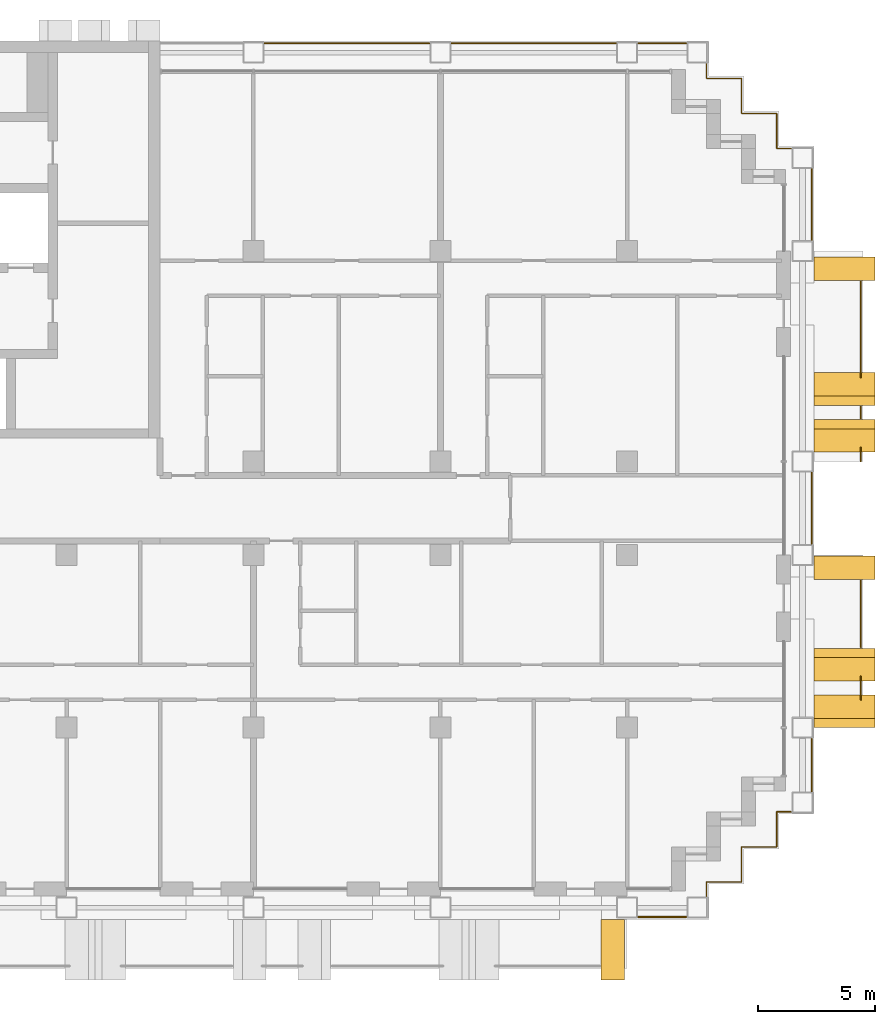
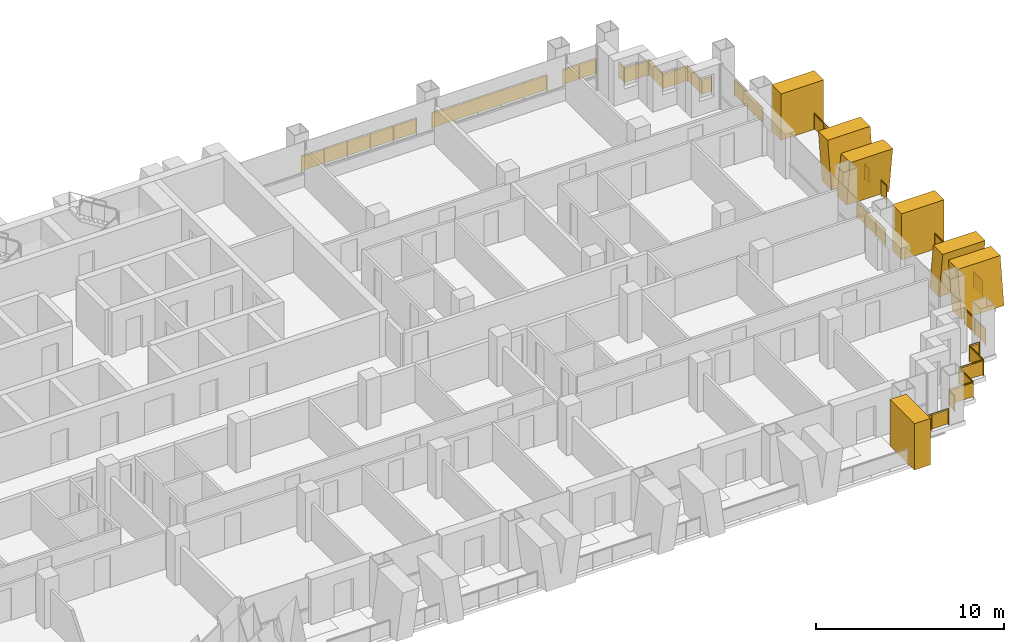
# One storey, part 17 of 17: 14 railings, 7 shading devices.
"""IFC4 building model written with IfcOpenShell, lengths in metres."""

from ifc_helpers import new_model, si_unit, direction, frame, origin, origin_2d, place, context, subcontext, project, spatial, polyline, rectangle, circle, outline, extrude, material, layer, layer_set, type_object, element, save


model = new_model("IFC4")

# Units and contexts
model_context = context("Model", 3, precision=1e-05, world=origin(), true_north=direction((0.0, 1.0)))
body_context = subcontext(model_context, "Body", "Model", "MODEL_VIEW")
ifc_project = project(units=[si_unit("LENGTHUNIT", "METRE"), si_unit("AREAUNIT", "SQUARE_METRE"), si_unit("VOLUMEUNIT", "CUBIC_METRE"), si_unit("PLANEANGLEUNIT", "RADIAN"), si_unit("MASSUNIT", "GRAM", prefix="KILO")], contexts=[model_context])

# Site, building, storey
site_placement = place(None, origin())
site = spatial("IfcSite", under=ifc_project, at=site_placement, CompositionType="ELEMENT")
building_placement = place(site_placement, origin())
building = spatial("IfcBuilding", under=site, at=building_placement, Name="Vidyagriha Tower", CompositionType="ELEMENT")
storey_placement = place(building_placement, frame((0.0, 0.0, 96.699951171875)))
storey = spatial("IfcBuildingStorey", under=building, at=storey_placement, Name="L25", CompositionType="ELEMENT", Elevation=96.699951171875)

# Railings
ifc_material_1 = material(Name="Steel ASTM A500 Grade C black painted", Category="steel")
railing_type_1 = type_object("IfcRailingType", Name="Balcony guard 1100", PredefinedType="BALUSTRADE", material=ifc_material_1)
railing_1_placement = place(storey_placement, frame((44.0, -8.19677734375, 0.0)))
element("IfcRailing", 1, at=railing_1_placement, inside=storey, type_object=railing_type_1, Name="Balcony guard L25 R30.1-1", PredefinedType="BALUSTRADE", context=body_context, shape_type="SweptSolid", body=[
    extrude(circle(Radius=0.02490234375, at=origin_2d()), frame((0.0, 0.0, 1.0751953125), z_axis=(0.0, 1.0, 0.0), x_axis=(-1.0, 0.0, 0.0)), (0.0, 0.0, 1.0), 0.993408203125),
    extrude(circle(Radius=0.02001953125, at=origin_2d()), origin(), (0.0, 0.0, 1.0), 1.050048828125),
    extrude(circle(Radius=0.02001953125, at=origin_2d()), frame((0.0, 0.993408203125, 0.0)), (0.0, 0.0, 1.0), 1.050048828125),
    extrude(rectangle(XDim=0.010009765625, YDim=0.900146484375, at=origin_2d()), frame((0.0, 0.0, 0.550048828125), z_axis=(0.0, 1.0, 0.0), x_axis=(-1.0, 0.0, 0.0)), (0.0, 0.0, 1.0), 0.993408203125),
])
railing_2_placement = place(storey_placement, frame((44.0, -5.949951171875, 0.0)))
element("IfcRailing", 2, at=railing_2_placement, inside=storey, type_object=railing_type_1, Name="Balcony guard L25 R30.1-2", PredefinedType="BALUSTRADE", context=body_context, shape_type="SweptSolid", body=[
    extrude(circle(Radius=0.02490234375, at=origin_2d()), frame((0.0, 0.0, 1.0751953125), z_axis=(0.0, 1.0, 0.0), x_axis=(-1.0, 0.0, 0.0)), (0.0, 0.0, 1.0), 2.849853515625),
    extrude(circle(Radius=0.02001953125, at=origin_2d()), origin(), (0.0, 0.0, 1.0), 1.050048828125),
    extrude(circle(Radius=0.02001953125, at=origin_2d()), frame((0.0, 0.949951171875, 0.0)), (0.0, 0.0, 1.0), 1.050048828125),
    extrude(circle(Radius=0.02001953125, at=origin_2d()), frame((0.0, 1.89990234375, 0.0)), (0.0, 0.0, 1.0), 1.050048828125),
    extrude(circle(Radius=0.02001953125, at=origin_2d()), frame((0.0, 2.849853515625, 0.0)), (0.0, 0.0, 1.0), 1.050048828125),
    extrude(rectangle(XDim=0.010009765625, YDim=0.900146484375, at=origin_2d()), frame((0.0, 0.0, 0.550048828125), z_axis=(0.0, 1.0, 0.0), x_axis=(-1.0, 0.0, 0.0)), (0.0, 0.0, 1.0), 2.849853515625),
])
railing_3_placement = place(storey_placement, frame((44.0, 2.0, 0.0)))
element("IfcRailing", 3, at=railing_3_placement, inside=storey, type_object=railing_type_1, Name="Balcony guard L25 R30.2-1", PredefinedType="BALUSTRADE", context=body_context, shape_type="SweptSolid", body=[
    extrude(circle(Radius=0.02490234375, at=origin_2d()), frame((0.0, 0.0, 1.0751953125), z_axis=(0.0, 1.0, 0.0), x_axis=(-1.0, 0.0, 0.0)), (0.0, 0.0, 1.0), 0.5966796875),
    extrude(circle(Radius=0.02001953125, at=origin_2d()), origin(), (0.0, 0.0, 1.0), 1.050048828125),
    extrude(circle(Radius=0.02001953125, at=origin_2d()), frame((0.0, 0.5966796875, 0.0)), (0.0, 0.0, 1.0), 1.050048828125),
    extrude(rectangle(XDim=0.010009765625, YDim=0.900146484375, at=origin_2d()), frame((0.0, 0.0, 0.550048828125), z_axis=(0.0, 1.0, 0.0), x_axis=(-1.0, 0.0, 0.0)), (0.0, 0.0, 1.0), 0.5966796875),
])
railing_4_placement = place(storey_placement, frame((44.0, 3.85009765625, 0.0)))
element("IfcRailing", 4, at=railing_4_placement, inside=storey, type_object=railing_type_1, Name="Balcony guard L25 R30.2-2", PredefinedType="BALUSTRADE", context=body_context, shape_type="SweptSolid", body=[
    extrude(circle(Radius=0.02490234375, at=origin_2d()), frame((0.0, 0.0, 1.0751953125), z_axis=(0.0, 1.0, 0.0), x_axis=(-1.0, 0.0, 0.0)), (0.0, 0.0, 1.0), 0.5),
    extrude(circle(Radius=0.02001953125, at=origin_2d()), origin(), (0.0, 0.0, 1.0), 1.050048828125),
    extrude(circle(Radius=0.02001953125, at=origin_2d()), frame((0.0, 0.5, 0.0)), (0.0, 0.0, 1.0), 1.050048828125),
    extrude(rectangle(XDim=0.010009765625, YDim=0.900146484375, at=origin_2d()), frame((0.0, 0.0, 0.550048828125), z_axis=(0.0, 1.0, 0.0), x_axis=(-1.0, 0.0, 0.0)), (0.0, 0.0, 1.0), 0.5),
])
railing_5_placement = place(storey_placement, frame((44.0, 5.603271484375, 0.0)))
element("IfcRailing", 5, at=railing_5_placement, inside=storey, type_object=railing_type_1, Name="Balcony guard L25 R30.2-3", PredefinedType="BALUSTRADE", context=body_context, shape_type="SweptSolid", body=[
    extrude(circle(Radius=0.02490234375, at=origin_2d()), frame((0.0, 0.0, 1.0751953125), z_axis=(0.0, 1.0, 0.0), x_axis=(-1.0, 0.0, 0.0)), (0.0, 0.0, 1.0), 4.0966796875),
    extrude(circle(Radius=0.02001953125, at=origin_2d()), origin(), (0.0, 0.0, 1.0), 1.050048828125),
    extrude(circle(Radius=0.02001953125, at=origin_2d()), frame((0.0, 1.024169921875, 0.0)), (0.0, 0.0, 1.0), 1.050048828125),
    extrude(circle(Radius=0.02001953125, at=origin_2d()), frame((0.0, 2.04833984375, 0.0)), (0.0, 0.0, 1.0), 1.050048828125),
    extrude(circle(Radius=0.02001953125, at=origin_2d()), frame((0.0, 3.072509765625, 0.0)), (0.0, 0.0, 1.0), 1.050048828125),
    extrude(circle(Radius=0.02001953125, at=origin_2d()), frame((0.0, 4.0966796875, 0.0)), (0.0, 0.0, 1.0), 1.050048828125),
    extrude(rectangle(XDim=0.010009765625, YDim=0.900146484375, at=origin_2d()), frame((0.0, 0.0, 0.550048828125), z_axis=(0.0, 1.0, 0.0), x_axis=(-1.0, 0.0, 0.0)), (0.0, 0.0, 1.0), 4.0966796875),
])

# Shading devices
ifc_material_2 = material(Name="Precast concrete C40/50 with buff brick facing", Category="concrete")
ifc_layer_1 = layer(ifc_material_2, 1.0)
ifc_layer_set_1 = layer_set([ifc_layer_1], Name="Precast concrete C40/50 with buff brick facing")
shading_device_type_1 = type_object("IfcShadingDeviceType", Name="Brick-faced blade fin arm leaning 8 degrees", PredefinedType="USERDEFINED", material=ifc_layer_set_1)
shading_device_1_placement = place(storey_placement, frame((43.300048828125, -7.39990234375, 0.0), z_axis=(0.0, 0.0, 1.0), x_axis=(0.0, 1.0, 0.0)))
element("IfcShadingDevice", 6, at=shading_device_1_placement, inside=storey, type_object=shading_device_type_1, Name="Leaning blade fin L25 R30.210a", ObjectType="BLADE FIN", PredefinedType="USERDEFINED", context=body_context, shape_type="SweptSolid", body=[
    extrude(outline(polyline([(0.39990234375, 0.0), (1.39990234375, 0.0), (1.0, 3.0), (0.0, 3.0), (0.39990234375, 0.0)])), frame((0.0, 1.300048828125, 0.0), z_axis=(0.0, -1.0, 0.0), x_axis=(1.0, 0.0, 0.0)), (0.0, 0.0, 1.0), 2.60009765625),
])
for number, where, z_axis, x_axis, name in (
    (7, (43.300048828125, -9.39990234375, 0.0), (0.0, 0.0, 1.0), (0.0, 1.0, 0.0), "Leaning blade fin L25 R30.210b"),
    (8, (43.300048828125, 4.39990234375, 0.0), (0.0, 0.0, 1.0), (0.0, 1.0, 0.0), "Leaning blade fin L25 R30.1350a"),
):
    element("IfcShadingDevice", number, at=place(storey_placement, frame(where, z_axis=z_axis, x_axis=x_axis)), inside=storey, type_object=shading_device_type_1, Name=name, ObjectType="BLADE FIN", PredefinedType="USERDEFINED", context=body_context, shape_type="SweptSolid", body=[
        extrude(outline(polyline([(0.0, 0.0), (1.0, 0.0), (1.39990234375, 3.0), (0.39990234375, 3.0), (0.0, 0.0)])), frame((0.0, 1.300048828125, 0.0), z_axis=(0.0, -1.0, 0.0), x_axis=(1.0, 0.0, 0.0)), (0.0, 0.0, 1.0), 2.60009765625),
    ])
shading_device_2_placement = place(storey_placement, frame((43.300048828125, 2.39990234375, 0.0), z_axis=(0.0, 0.0, 1.0), x_axis=(0.0, 1.0, 0.0)))
element("IfcShadingDevice", 9, at=shading_device_2_placement, inside=storey, type_object=shading_device_type_1, Name="Leaning blade fin L25 R30.1350b", ObjectType="BLADE FIN", PredefinedType="USERDEFINED", context=body_context, shape_type="SweptSolid", body=[
    extrude(outline(polyline([(0.39990234375, 0.0), (1.39990234375, 0.0), (1.0, 3.0), (0.0, 3.0), (0.39990234375, 0.0)])), frame((0.0, 1.300048828125, 0.0), z_axis=(0.0, -1.0, 0.0), x_axis=(1.0, 0.0, 0.0)), (0.0, 0.0, 1.0), 2.60009765625),
])
ifc_material_3 = material(Name="Precast concrete C40/50 with buff brick facing", Category="concrete")
ifc_layer_2 = layer(ifc_material_3, 1.0)
ifc_layer_set_2 = layer_set([ifc_layer_2], Name="Precast concrete C40/50 with buff brick facing")
shading_device_type_2 = type_object("IfcShadingDeviceType", Name="Brick-faced blade fin stem 1000", PredefinedType="USERDEFINED", material=ifc_layer_set_2)
shading_device_3_placement = place(storey_placement, frame((32.875, -18.89990234375, 0.0)))
element("IfcShadingDevice", 10, at=shading_device_3_placement, inside=storey, type_object=shading_device_type_2, Name="Stem blade fin L25 R23.5790a", ObjectType="BLADE FIN", PredefinedType="USERDEFINED", context=body_context, shape_type="SweptSolid", body=[
    extrude(outline(polyline([(0.0, 0.0), (1.0, 0.0), (1.0, 3.0), (0.0, 3.0), (0.0, 0.0)])), frame((0.0, 1.300048828125, 0.0), z_axis=(0.0, -1.0, 0.0), x_axis=(1.0, 0.0, 0.0)), (0.0, 0.0, 1.0), 2.60009765625),
])
for number, where, z_axis, x_axis, name in (
    (11, (43.300048828125, -3.050048828125, 0.0), (0.0, 0.0, 1.0), (0.0, 1.0, 0.0), "Stem blade fin L25 R30.950a"),
    (12, (43.300048828125, 9.75, 0.0), (0.0, 0.0, 1.0), (0.0, 1.0, 0.0), "Stem blade fin L25 R30.2250a"),
):
    element("IfcShadingDevice", number, at=place(storey_placement, frame(where, z_axis=z_axis, x_axis=x_axis)), inside=storey, type_object=shading_device_type_2, Name=name, ObjectType="BLADE FIN", PredefinedType="USERDEFINED", context=body_context, shape_type="SweptSolid", body=[
        extrude(outline(polyline([(0.0, 0.0), (1.0, 0.0), (1.0, 3.0), (0.0, 3.0), (0.0, 0.0)])), frame((0.0, 1.300048828125, 0.0), z_axis=(0.0, -1.0, 0.0), x_axis=(1.0, 0.0, 0.0)), (0.0, 0.0, 1.0), 2.60009765625),
    ])

# Railings
ifc_material_4 = material(Name="Steel ASTM A500 Grade C black painted", Category="steel")
railing_type_2 = type_object("IfcRailingType", Name="Gallery guard 1100", PredefinedType="GUARDRAIL", material=ifc_material_4)
for number, where, name in (
    (13, (18.47998046875, 19.89990234375, 0.0), "Gallery guard L25 10"),
    (14, (26.47998046875, 19.89990234375, 0.0), "Gallery guard L25 11"),
):
    element("IfcRailing", number, at=place(storey_placement, frame(where)), inside=storey, type_object=railing_type_2, Name=name, PredefinedType="GUARDRAIL", context=body_context, shape_type="SweptSolid", body=[
        extrude(circle(Radius=0.02490234375, at=origin_2d()), frame((0.0, 0.0, 1.0751953125), z_axis=(1.0, 0.0, 0.0), x_axis=(0.0, 1.0, 0.0)), (0.0, 0.0, 1.0), 7.0400390625),
        extrude(circle(Radius=0.02001953125, at=origin_2d()), origin(), (0.0, 0.0, 1.0), 1.050048828125),
        extrude(circle(Radius=0.02001953125, at=origin_2d()), frame((1.407958984375, 0.0, 0.0)), (0.0, 0.0, 1.0), 1.050048828125),
        extrude(circle(Radius=0.02001953125, at=origin_2d()), frame((2.81591796875, 0.0, 0.0)), (0.0, 0.0, 1.0), 1.050048828125),
        extrude(circle(Radius=0.02001953125, at=origin_2d()), frame((4.22412109375, 0.0, 0.0)), (0.0, 0.0, 1.0), 1.050048828125),
        extrude(circle(Radius=0.02001953125, at=origin_2d()), frame((5.632080078125, 0.0, 0.0)), (0.0, 0.0, 1.0), 1.050048828125),
        extrude(circle(Radius=0.02001953125, at=origin_2d()), frame((7.0400390625, 0.0, 0.0)), (0.0, 0.0, 1.0), 1.050048828125),
        extrude(rectangle(XDim=0.010009765625, YDim=0.900146484375, at=origin_2d()), frame((0.0, 0.0, 0.550048828125), z_axis=(1.0, 0.0, 0.0), x_axis=(0.0, 1.0, 0.0)), (0.0, 0.0, 1.0), 7.0400390625),
    ])
railing_6_placement = place(storey_placement, frame((36.52001953125, -17.5, 0.0)))
element("IfcRailing", 15, at=railing_6_placement, inside=storey, type_object=railing_type_2, Name="Gallery guard L25 12", PredefinedType="GUARDRAIL", context=body_context, shape_type="SweptSolid", body=[
    extrude(circle(Radius=0.02490234375, at=origin_2d()), frame((0.0, 0.0, 1.0751953125), z_axis=(-1.0, 0.0, 0.0), x_axis=(0.0, -1.0, 0.0)), (0.0, 0.0, 1.0), 2.0400390625),
    extrude(circle(Radius=0.02001953125, at=origin_2d()), origin(), (0.0, 0.0, 1.0), 1.050048828125),
    extrude(circle(Radius=0.02001953125, at=origin_2d()), frame((-1.02001953125, 0.0, 0.0)), (0.0, 0.0, 1.0), 1.050048828125),
    extrude(circle(Radius=0.02001953125, at=origin_2d()), frame((-2.0400390625, 0.0, 0.0)), (0.0, 0.0, 1.0), 1.050048828125),
    extrude(rectangle(XDim=0.010009765625, YDim=0.900146484375, at=origin_2d()), frame((0.0, 0.0, 0.550048828125), z_axis=(-1.0, 0.0, 0.0), x_axis=(0.0, -1.0, 0.0)), (0.0, 0.0, 1.0), 2.0400390625),
])
railing_7_placement = place(storey_placement, frame((34.47998046875, 19.89990234375, 0.0)))
element("IfcRailing", 16, at=railing_7_placement, inside=storey, type_object=railing_type_2, Name="Gallery guard L25 13", PredefinedType="GUARDRAIL", context=body_context, shape_type="SweptSolid", body=[
    extrude(circle(Radius=0.02490234375, at=origin_2d()), frame((0.0, 0.0, 1.0751953125), z_axis=(1.0, 0.0, 0.0), x_axis=(0.0, 1.0, 0.0)), (0.0, 0.0, 1.0), 2.0400390625),
    extrude(circle(Radius=0.02001953125, at=origin_2d()), origin(), (0.0, 0.0, 1.0), 1.050048828125),
    extrude(circle(Radius=0.02001953125, at=origin_2d()), frame((1.02001953125, 0.0, 0.0)), (0.0, 0.0, 1.0), 1.050048828125),
    extrude(circle(Radius=0.02001953125, at=origin_2d()), frame((2.0400390625, 0.0, 0.0)), (0.0, 0.0, 1.0), 1.050048828125),
    extrude(rectangle(XDim=0.010009765625, YDim=0.900146484375, at=origin_2d()), frame((0.0, 0.0, 0.550048828125), z_axis=(1.0, 0.0, 0.0), x_axis=(0.0, 1.0, 0.0)), (0.0, 0.0, 1.0), 2.0400390625),
])
railing_8_placement = place(storey_placement, frame((41.02001953125, -13.0, 0.0)))
element("IfcRailing", 17, at=railing_8_placement, inside=storey, type_object=railing_type_2, Name="Gallery guard L25 14", PredefinedType="GUARDRAIL", context=body_context, shape_type="SweptSolid", body=[
    extrude(circle(Radius=0.02490234375, at=origin_2d()), frame((0.0, 0.0, 1.0751953125), z_axis=(-1.0, 0.0, 0.0), x_axis=(0.0, -1.0, 0.0)), (0.0, 0.0, 1.0), 0.6201171875),
    extrude(circle(Radius=0.02490234375, at=origin_2d()), frame((-0.6201171875, 0.0, 1.0751953125), z_axis=(0.0, -1.0, 0.0), x_axis=(1.0, 0.0, 0.0)), (0.0, 0.0, 1.0), 1.5),
    extrude(circle(Radius=0.02490234375, at=origin_2d()), frame((-0.6201171875, -1.5, 1.0751953125), z_axis=(-1.0, 0.0, 0.0), x_axis=(0.0, -1.0, 0.0)), (0.0, 0.0, 1.0), 1.5),
    extrude(circle(Radius=0.02490234375, at=origin_2d()), frame((-2.1201171875, -1.5, 1.0751953125), z_axis=(0.0, -1.0, 0.0), x_axis=(1.0, 0.0, 0.0)), (0.0, 0.0, 1.0), 1.5),
    extrude(circle(Radius=0.02490234375, at=origin_2d()), frame((-2.1201171875, -3.0, 1.0751953125), z_axis=(-1.0, 0.0, 0.0), x_axis=(0.0, -1.0, 0.0)), (0.0, 0.0, 1.0), 1.5),
    extrude(circle(Radius=0.02490234375, at=origin_2d()), frame((-3.6201171875, -3.0, 1.0751953125), z_axis=(0.0, -1.0, 0.0), x_axis=(1.0, 0.0, 0.0)), (0.0, 0.0, 1.0), 0.6201171875),
    extrude(circle(Radius=0.02001953125, at=origin_2d()), origin(), (0.0, 0.0, 1.0), 1.050048828125),
    extrude(circle(Radius=0.02001953125, at=origin_2d()), frame((-0.6201171875, 0.0, 0.0)), (0.0, 0.0, 1.0), 1.050048828125),
    extrude(circle(Radius=0.02001953125, at=origin_2d()), frame((-0.6201171875, -1.5, 0.0)), (0.0, 0.0, 1.0), 1.050048828125),
    extrude(circle(Radius=0.02001953125, at=origin_2d()), frame((-2.1201171875, -1.5, 0.0)), (0.0, 0.0, 1.0), 1.050048828125),
    extrude(circle(Radius=0.02001953125, at=origin_2d()), frame((-2.1201171875, -3.0, 0.0)), (0.0, 0.0, 1.0), 1.050048828125),
    extrude(circle(Radius=0.02001953125, at=origin_2d()), frame((-3.6201171875, -3.0, 0.0)), (0.0, 0.0, 1.0), 1.050048828125),
    extrude(circle(Radius=0.02001953125, at=origin_2d()), frame((-3.6201171875, -3.6201171875, 0.0)), (0.0, 0.0, 1.0), 1.050048828125),
    extrude(rectangle(XDim=0.010009765625, YDim=0.900146484375, at=origin_2d()), frame((0.0, 0.0, 0.550048828125), z_axis=(-1.0, 0.0, 0.0), x_axis=(0.0, -1.0, 0.0)), (0.0, 0.0, 1.0), 0.6201171875),
    extrude(rectangle(XDim=0.010009765625, YDim=0.900146484375, at=origin_2d()), frame((-0.6201171875, 0.0, 0.550048828125), z_axis=(0.0, -1.0, 0.0), x_axis=(1.0, 0.0, 0.0)), (0.0, 0.0, 1.0), 1.5),
    extrude(rectangle(XDim=0.010009765625, YDim=0.900146484375, at=origin_2d()), frame((-0.6201171875, -1.5, 0.550048828125), z_axis=(-1.0, 0.0, 0.0), x_axis=(0.0, -1.0, 0.0)), (0.0, 0.0, 1.0), 1.5),
    extrude(rectangle(XDim=0.010009765625, YDim=0.900146484375, at=origin_2d()), frame((-2.1201171875, -1.5, 0.550048828125), z_axis=(0.0, -1.0, 0.0), x_axis=(1.0, 0.0, 0.0)), (0.0, 0.0, 1.0), 1.5),
    extrude(rectangle(XDim=0.010009765625, YDim=0.900146484375, at=origin_2d()), frame((-2.1201171875, -3.0, 0.550048828125), z_axis=(-1.0, 0.0, 0.0), x_axis=(0.0, -1.0, 0.0)), (0.0, 0.0, 1.0), 1.5),
    extrude(rectangle(XDim=0.010009765625, YDim=0.900146484375, at=origin_2d()), frame((-3.6201171875, -3.0, 0.550048828125), z_axis=(0.0, -1.0, 0.0), x_axis=(1.0, 0.0, 0.0)), (0.0, 0.0, 1.0), 0.6201171875),
])
railing_9_placement = place(storey_placement, frame((37.39990234375, 19.02001953125, 0.0)))
element("IfcRailing", 18, at=railing_9_placement, inside=storey, type_object=railing_type_2, Name="Gallery guard L25 15", PredefinedType="GUARDRAIL", context=body_context, shape_type="SweptSolid", body=[
    extrude(circle(Radius=0.02490234375, at=origin_2d()), frame((0.0, 0.0, 1.0751953125), z_axis=(0.0, -1.0, 0.0), x_axis=(1.0, 0.0, 0.0)), (0.0, 0.0, 1.0), 0.6201171875),
    extrude(circle(Radius=0.02490234375, at=origin_2d()), frame((0.0, -0.6201171875, 1.0751953125), z_axis=(1.0, 0.0, 0.0), x_axis=(0.0, 1.0, 0.0)), (0.0, 0.0, 1.0), 1.5),
    extrude(circle(Radius=0.02490234375, at=origin_2d()), frame((1.5, -0.6201171875, 1.0751953125), z_axis=(0.0, -1.0, 0.0), x_axis=(1.0, 0.0, 0.0)), (0.0, 0.0, 1.0), 1.5),
    extrude(circle(Radius=0.02490234375, at=origin_2d()), frame((1.5, -2.1201171875, 1.0751953125), z_axis=(1.0, 0.0, 0.0), x_axis=(0.0, 1.0, 0.0)), (0.0, 0.0, 1.0), 1.5),
    extrude(circle(Radius=0.02490234375, at=origin_2d()), frame((3.0, -2.1201171875, 1.0751953125), z_axis=(0.0, -1.0, 0.0), x_axis=(1.0, 0.0, 0.0)), (0.0, 0.0, 1.0), 1.5),
    extrude(circle(Radius=0.02490234375, at=origin_2d()), frame((3.0, -3.6201171875, 1.0751953125), z_axis=(1.0, 0.0, 0.0), x_axis=(0.0, 1.0, 0.0)), (0.0, 0.0, 1.0), 0.6201171875),
    extrude(circle(Radius=0.02001953125, at=origin_2d()), origin(), (0.0, 0.0, 1.0), 1.050048828125),
    extrude(circle(Radius=0.02001953125, at=origin_2d()), frame((0.0, -0.6201171875, 0.0)), (0.0, 0.0, 1.0), 1.050048828125),
    extrude(circle(Radius=0.02001953125, at=origin_2d()), frame((1.5, -0.6201171875, 0.0)), (0.0, 0.0, 1.0), 1.050048828125),
    extrude(circle(Radius=0.02001953125, at=origin_2d()), frame((1.5, -2.1201171875, 0.0)), (0.0, 0.0, 1.0), 1.050048828125),
    extrude(circle(Radius=0.02001953125, at=origin_2d()), frame((3.0, -2.1201171875, 0.0)), (0.0, 0.0, 1.0), 1.050048828125),
    extrude(circle(Radius=0.02001953125, at=origin_2d()), frame((3.0, -3.6201171875, 0.0)), (0.0, 0.0, 1.0), 1.050048828125),
    extrude(circle(Radius=0.02001953125, at=origin_2d()), frame((3.6201171875, -3.6201171875, 0.0)), (0.0, 0.0, 1.0), 1.050048828125),
    extrude(rectangle(XDim=0.010009765625, YDim=0.900146484375, at=origin_2d()), frame((0.0, 0.0, 0.550048828125), z_axis=(0.0, -1.0, 0.0), x_axis=(1.0, 0.0, 0.0)), (0.0, 0.0, 1.0), 0.6201171875),
    extrude(rectangle(XDim=0.010009765625, YDim=0.900146484375, at=origin_2d()), frame((0.0, -0.6201171875, 0.550048828125), z_axis=(1.0, 0.0, 0.0), x_axis=(0.0, 1.0, 0.0)), (0.0, 0.0, 1.0), 1.5),
    extrude(rectangle(XDim=0.010009765625, YDim=0.900146484375, at=origin_2d()), frame((1.5, -0.6201171875, 0.550048828125), z_axis=(0.0, -1.0, 0.0), x_axis=(1.0, 0.0, 0.0)), (0.0, 0.0, 1.0), 1.5),
    extrude(rectangle(XDim=0.010009765625, YDim=0.900146484375, at=origin_2d()), frame((1.5, -2.1201171875, 0.550048828125), z_axis=(1.0, 0.0, 0.0), x_axis=(0.0, 1.0, 0.0)), (0.0, 0.0, 1.0), 1.5),
    extrude(rectangle(XDim=0.010009765625, YDim=0.900146484375, at=origin_2d()), frame((3.0, -2.1201171875, 0.550048828125), z_axis=(0.0, -1.0, 0.0), x_axis=(1.0, 0.0, 0.0)), (0.0, 0.0, 1.0), 1.5),
    extrude(rectangle(XDim=0.010009765625, YDim=0.900146484375, at=origin_2d()), frame((3.0, -3.6201171875, 0.550048828125), z_axis=(1.0, 0.0, 0.0), x_axis=(0.0, 1.0, 0.0)), (0.0, 0.0, 1.0), 0.6201171875),
])
railing_10_placement = place(storey_placement, frame((41.89990234375, -9.8798828125, 0.0)))
element("IfcRailing", 19, at=railing_10_placement, inside=storey, type_object=railing_type_2, Name="Gallery guard L25 16", PredefinedType="GUARDRAIL", context=body_context, shape_type="SweptSolid", body=[
    extrude(circle(Radius=0.02490234375, at=origin_2d()), frame((0.0, 0.0, 1.0751953125), z_axis=(0.0, -1.0, 0.0), x_axis=(1.0, 0.0, 0.0)), (0.0, 0.0, 1.0), 2.240234375),
    extrude(circle(Radius=0.02001953125, at=origin_2d()), origin(), (0.0, 0.0, 1.0), 1.050048828125),
    extrude(circle(Radius=0.02001953125, at=origin_2d()), frame((0.0, -1.1201171875, 0.0)), (0.0, 0.0, 1.0), 1.050048828125),
    extrude(circle(Radius=0.02001953125, at=origin_2d()), frame((0.0, -2.240234375, 0.0)), (0.0, 0.0, 1.0), 1.050048828125),
    extrude(rectangle(XDim=0.010009765625, YDim=0.900146484375, at=origin_2d()), frame((0.0, 0.0, 0.550048828125), z_axis=(0.0, -1.0, 0.0), x_axis=(1.0, 0.0, 0.0)), (0.0, 0.0, 1.0), 2.240234375),
])
for number, where, name in (
    (20, (41.89990234375, 1.52001953125, 0.0), "Gallery guard L25 17"),
    (21, (41.89990234375, 14.52001953125, 0.0), "Gallery guard L25 18"),
):
    element("IfcRailing", number, at=place(storey_placement, frame(where)), inside=storey, type_object=railing_type_2, Name=name, PredefinedType="GUARDRAIL", context=body_context, shape_type="SweptSolid", body=[
        extrude(circle(Radius=0.02490234375, at=origin_2d()), frame((0.0, 0.0, 1.0751953125), z_axis=(0.0, -1.0, 0.0), x_axis=(1.0, 0.0, 0.0)), (0.0, 0.0, 1.0), 3.0400390625),
        extrude(circle(Radius=0.02001953125, at=origin_2d()), origin(), (0.0, 0.0, 1.0), 1.050048828125),
        extrude(circle(Radius=0.02001953125, at=origin_2d()), frame((0.0, -1.013427734375, 0.0)), (0.0, 0.0, 1.0), 1.050048828125),
        extrude(circle(Radius=0.02001953125, at=origin_2d()), frame((0.0, -2.026611328125, 0.0)), (0.0, 0.0, 1.0), 1.050048828125),
        extrude(circle(Radius=0.02001953125, at=origin_2d()), frame((0.0, -3.0400390625, 0.0)), (0.0, 0.0, 1.0), 1.050048828125),
        extrude(rectangle(XDim=0.010009765625, YDim=0.900146484375, at=origin_2d()), frame((0.0, 0.0, 0.550048828125), z_axis=(0.0, -1.0, 0.0), x_axis=(1.0, 0.0, 0.0)), (0.0, 0.0, 1.0), 3.0400390625),
    ])

save(model, "model.ifc")
